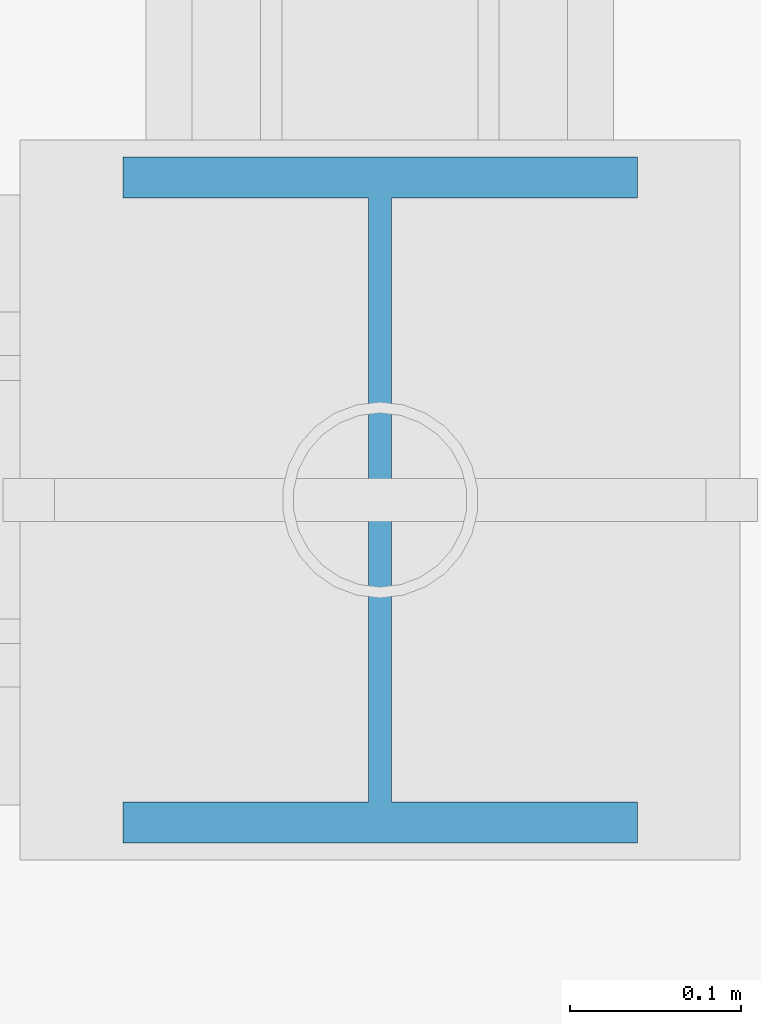
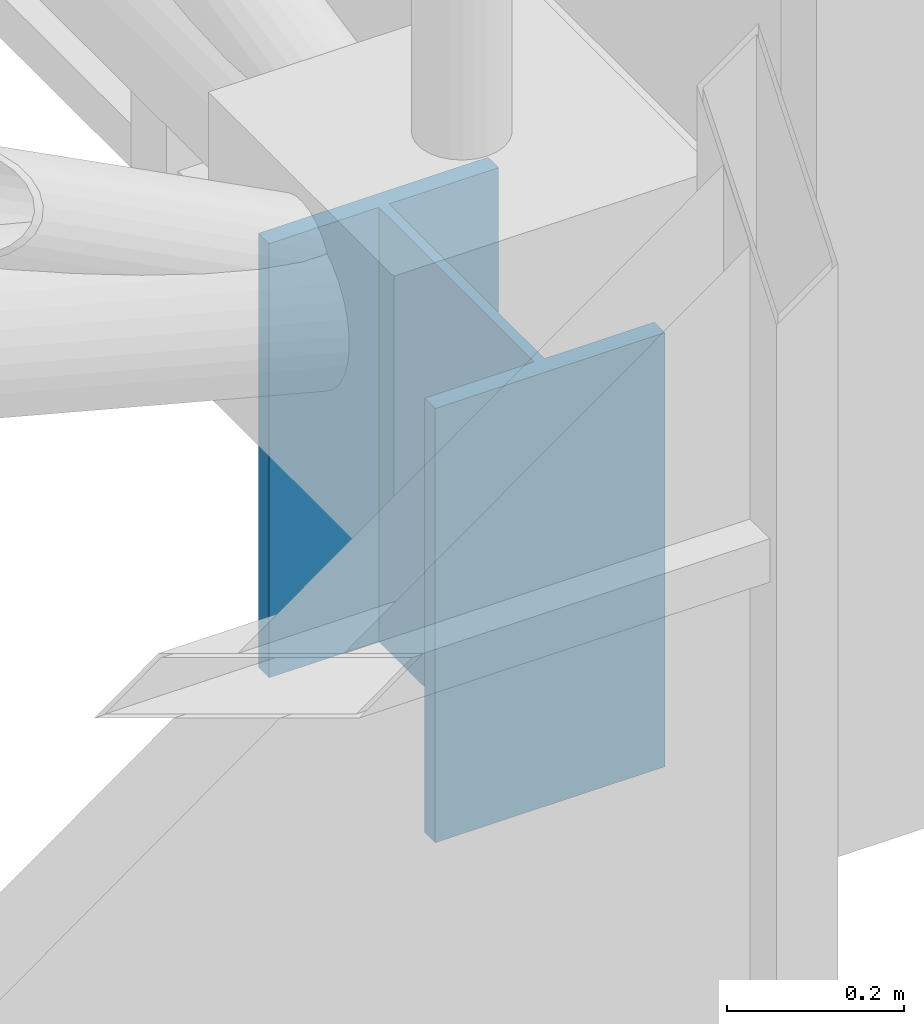
# One storey, part 12 of 144: 1 column.
"""IFC4 building model written with IfcOpenShell, lengths in metres."""

from ifc_helpers import new_model, si_unit, direction, frame, origin, origin_2d, place, context, subcontext, project, spatial, i_section, extrude, material, material_profile, profile_set, type_object, element, save


model = new_model("IFC4")

# Units and contexts
model_context = context("Model", 3, precision=1e-05, world=origin(), true_north=direction((0.0, 1.0)))
body_context = subcontext(model_context, "Body", "Model", "MODEL_VIEW")
ifc_project = project(units=[si_unit("LENGTHUNIT", "METRE"), si_unit("AREAUNIT", "SQUARE_METRE"), si_unit("VOLUMEUNIT", "CUBIC_METRE"), si_unit("PLANEANGLEUNIT", "RADIAN"), si_unit("MASSUNIT", "GRAM", prefix="KILO")], contexts=[model_context])

# Site, building, storey
site_placement = place(None, origin())
site = spatial("IfcSite", under=ifc_project, at=site_placement, CompositionType="ELEMENT")
building_placement = place(site_placement, origin())
building = spatial("IfcBuilding", under=site, at=building_placement, Name="Zayran Congress Hotel", CompositionType="ELEMENT")
storey_placement = place(building_placement, frame((0.0, 0.0, 19.199951171875)))
storey = spatial("IfcBuildingStorey", under=building, at=storey_placement, Name="L04", CompositionType="ELEMENT", Elevation=19.199951171875)

# Column
ifc_material = material(Name="Steel S355", Category="steel")
ifc_material_profile = material_profile(ifc_material, i_section(OverallWidth=0.300048828125, OverallDepth=0.39990234375, WebThickness=0.013427734375, FlangeThickness=0.02392578125, at=origin_2d()), Name="HEB 400")
ifc_profile_set = profile_set([ifc_material_profile], Name="Steel S355")
column_type = type_object("IfcColumnType", Name="TP-CL-07", PredefinedType="COLUMN", material=ifc_profile_set)
column_placement = place(storey_placement, frame((91.800048828125, 68.199951171875, 0.0), z_axis=(0.0, 0.0, 1.0), x_axis=(1.0, 0.0, 0.0)))
element("IfcColumn", 1, at=column_placement, inside=storey, type_object=column_type, Name="COL-V1-GAB-1427", PredefinedType="COLUMN", context=body_context, shape_type="SweptSolid", body=[
    extrude(i_section(OverallWidth=0.300048828125, OverallDepth=0.39990234375, WebThickness=0.013427734375, FlangeThickness=0.02392578125, at=origin_2d()), origin(), (0.0, 0.0, 1.0), 0.60009765625),
])

save(model, "model.ifc")
